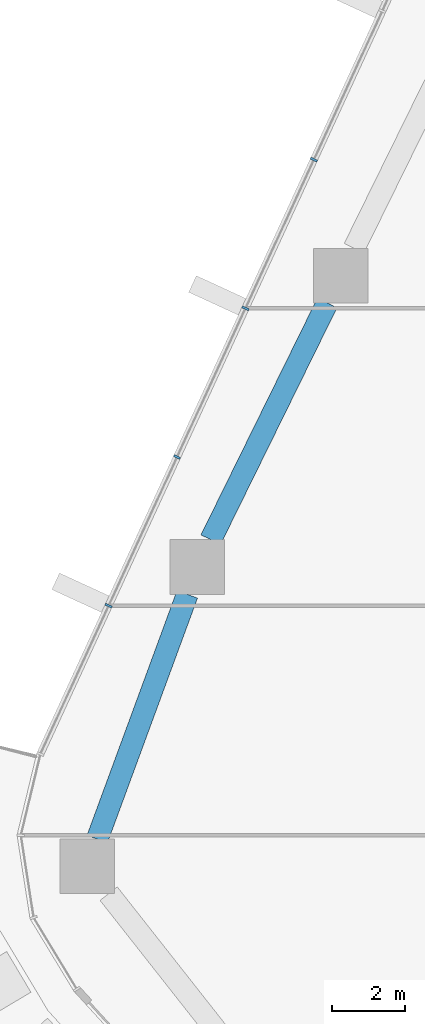
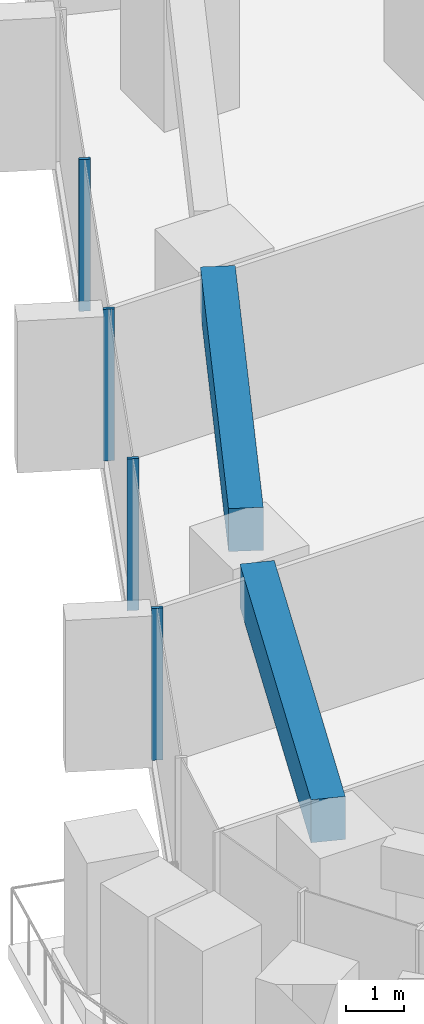
# One storey, part 5 of 26: 4 members, 2 beams, 1 element without a shape of its own.
"""IFC4 building model written with IfcOpenShell, lengths in metres."""

from ifc_helpers import new_model, si_unit, direction, frame, origin, origin_2d, place, context, subcontext, project, spatial, rectangle, extrude, material, layer, layer_set, material_profile, profile_set, type_object, element, aggregate, save


model = new_model("IFC4")

# Units and contexts
model_context = context("Model", 3, precision=1e-05, world=origin(), true_north=direction((0.0, 1.0)))
body_context = subcontext(model_context, "Body", "Model", "MODEL_VIEW")
ifc_project = project(units=[si_unit("LENGTHUNIT", "METRE"), si_unit("AREAUNIT", "SQUARE_METRE"), si_unit("VOLUMEUNIT", "CUBIC_METRE"), si_unit("PLANEANGLEUNIT", "RADIAN"), si_unit("MASSUNIT", "GRAM", prefix="KILO")], contexts=[model_context])

# Site, building, storey
site_placement = place(None, origin())
site = spatial("IfcSite", under=ifc_project, at=site_placement, CompositionType="ELEMENT")
building_placement = place(site_placement, origin())
building = spatial("IfcBuilding", under=site, at=building_placement, Name="Dongbaek Canopy Tower", CompositionType="ELEMENT")
storey_placement = place(building_placement, frame((0.0, 0.0, 66.199951171875)))
storey = spatial("IfcBuildingStorey", under=building, at=storey_placement, Name="L12", CompositionType="ELEMENT", Elevation=66.199951171875)

# Curtain wall, members
ifc_material_1 = material(Name="Aluminium 6063-T6 pale anodised", Category="aluminium")
ifc_layer = layer(ifc_material_1, 0.199951171875)
ifc_layer_set = layer_set([ifc_layer], Name="CW-1 unitised tower curtain wall")
curtain_wall_type = type_object("IfcCurtainWallType", Name="CW-1 unitised tower curtain wall", PredefinedType="NOTDEFINED", material=ifc_layer_set)
curtain_wall_placement = place(storey_placement, origin())
curtain_wall = element("IfcCurtainWall", 1, at=curtain_wall_placement, inside=storey, type_object=curtain_wall_type, Name="CW-1 curtain wall F2.1", PredefinedType="NOTDEFINED")
ifc_material_2 = material(Name="Aluminium 6063-T6 pale anodised", Category="aluminium")
ifc_material_profile_1 = material_profile(ifc_material_2, rectangle(XDim=0.199951171875, YDim=0.06005859375, at=origin_2d()), Name="CW-1 mullion 60 x 200")
ifc_profile_set_1 = profile_set([ifc_material_profile_1], Name="Aluminium 6063-T6 pale anodised")
member_type = type_object("IfcMemberType", Name="CW-1 mullion 60 x 200", PredefinedType="MULLION", material=ifc_profile_set_1)
member_1_placement = place(storey_placement, frame((-31.261962890625, 11.29541015625, 0.1201171875), z_axis=(0.0, 0.0, 1.0), x_axis=(-0.908435687115, 0.418024643264, 0.0)))
member_1 = element("IfcMember", 2, at=member_1_placement, type_object=member_type, Name="CW-1 mullion F2.1.6", PredefinedType="MULLION", context=body_context, shape_type="SweptSolid", body=[
    extrude(rectangle(XDim=0.199951171875, YDim=0.06005859375, at=origin_2d()), origin(), (0.0, 0.0, 1.0), 3.179931640625),
])
member_2_placement = place(storey_placement, frame((-33.1416015625, 7.21044921875, 0.1201171875), z_axis=(0.0, 0.0, 1.0), x_axis=(-0.908435687115, 0.418024643264, 0.0)))
member_2 = element("IfcMember", 3, at=member_2_placement, type_object=member_type, Name="CW-1 mullion F2.1.7", PredefinedType="MULLION", context=body_context, shape_type="SweptSolid", body=[
    extrude(rectangle(XDim=0.199951171875, YDim=0.06005859375, at=origin_2d()), origin(), (0.0, 0.0, 1.0), 3.179931640625),
])
member_3_placement = place(storey_placement, frame((-35.021484375, 3.125732421875, 0.1201171875), z_axis=(0.0, 0.0, 1.0), x_axis=(-0.908435687115, 0.418024643264, 0.0)))
member_3 = element("IfcMember", 4, at=member_3_placement, type_object=member_type, Name="CW-1 mullion F2.1.8", PredefinedType="MULLION", context=body_context, shape_type="SweptSolid", body=[
    extrude(rectangle(XDim=0.199951171875, YDim=0.06005859375, at=origin_2d()), origin(), (0.0, 0.0, 1.0), 3.179931640625),
])
member_4_placement = place(storey_placement, frame((-36.901123046875, -0.959228515625, 0.1201171875), z_axis=(0.0, 0.0, 1.0), x_axis=(-0.908435687115, 0.418024643264, 0.0)))
member_4 = element("IfcMember", 5, at=member_4_placement, type_object=member_type, Name="CW-1 mullion F2.1.9", PredefinedType="MULLION", context=body_context, shape_type="SweptSolid", body=[
    extrude(rectangle(XDim=0.199951171875, YDim=0.06005859375, at=origin_2d()), origin(), (0.0, 0.0, 1.0), 3.179931640625),
])
aggregate(curtain_wall, [member_1, member_2, member_3, member_4])

# Beams
ifc_material_3 = material(Name="Concrete C80", Category="concrete")
ifc_material_profile_2 = material_profile(ifc_material_3, rectangle(XDim=0.60009765625, YDim=0.89990234375, at=origin_2d()), Name="RC EDGE BEAM 600x900 C80")
ifc_profile_set_2 = profile_set([ifc_material_profile_2], Name="Concrete C80")
beam_type = type_object("IfcBeamType", Name="RC EDGE BEAM 600x900 C80", PredefinedType="BEAM", material=ifc_profile_set_2)
beam_1_placement = place(storey_placement, frame((-37.213134765625, -7.373046875, 2.85009765625), z_axis=(0.345225397682, 0.938519805223, 0.0), x_axis=(-0.938519805223, 0.345225397682, 0.0)))
element("IfcBeam", 6, at=beam_1_placement, inside=storey, type_object=beam_type, Name="EDGEBEAM:L12:08", PredefinedType="BEAM", context=body_context, shape_type="SweptSolid", body=[
    extrude(rectangle(XDim=0.60009765625, YDim=0.89990234375, at=origin_2d()), origin(), (0.0, 0.0, 1.0), 7.166748046875),
])
beam_2_placement = place(storey_placement, frame((-34.09423828125, 0.85302734375, 2.85009765625), z_axis=(0.441292548313, 0.897363297, 0.0), x_axis=(-0.897363297, 0.441292548313, 0.0)))
element("IfcBeam", 7, at=beam_2_placement, inside=storey, type_object=beam_type, Name="EDGEBEAM:L12:09", PredefinedType="BEAM", context=body_context, shape_type="SweptSolid", body=[
    extrude(rectangle(XDim=0.60009765625, YDim=0.89990234375, at=origin_2d()), origin(), (0.0, 0.0, 1.0), 7.25244140625),
])

save(model, "model.ifc")
